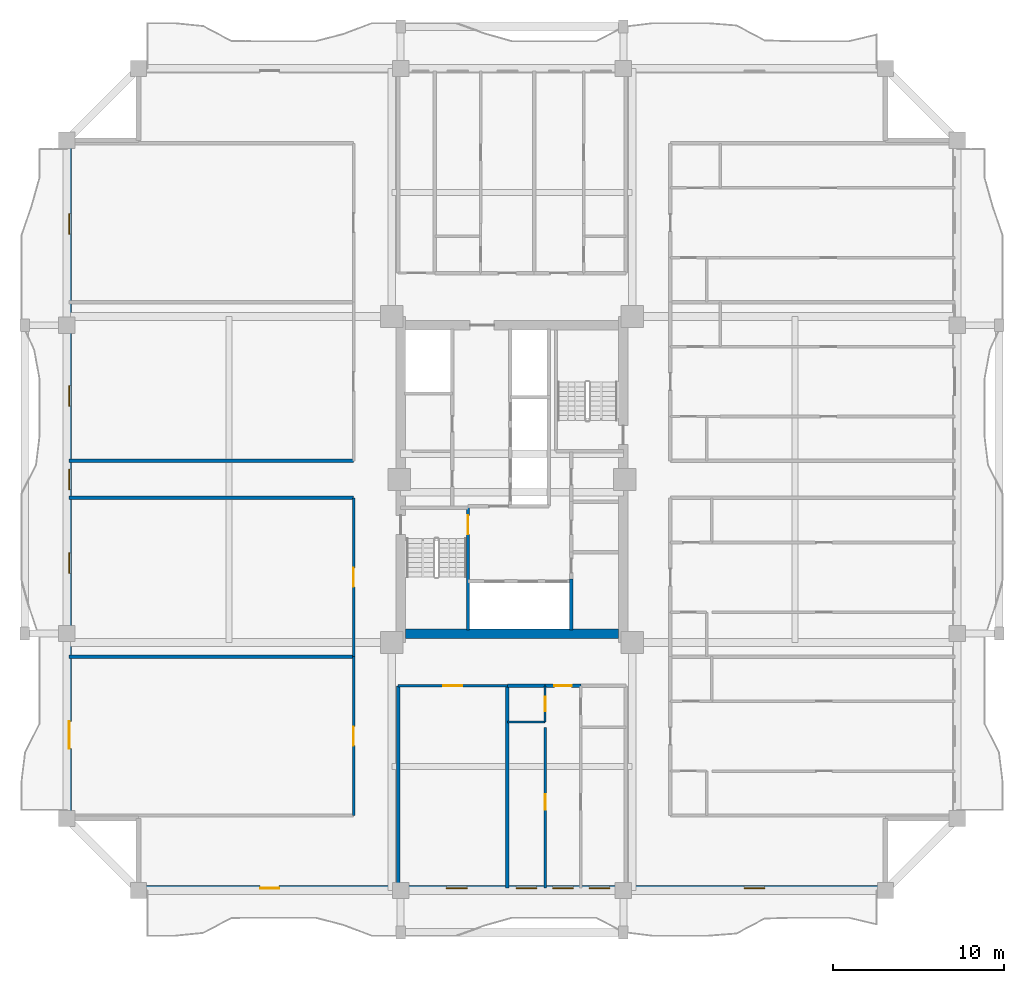
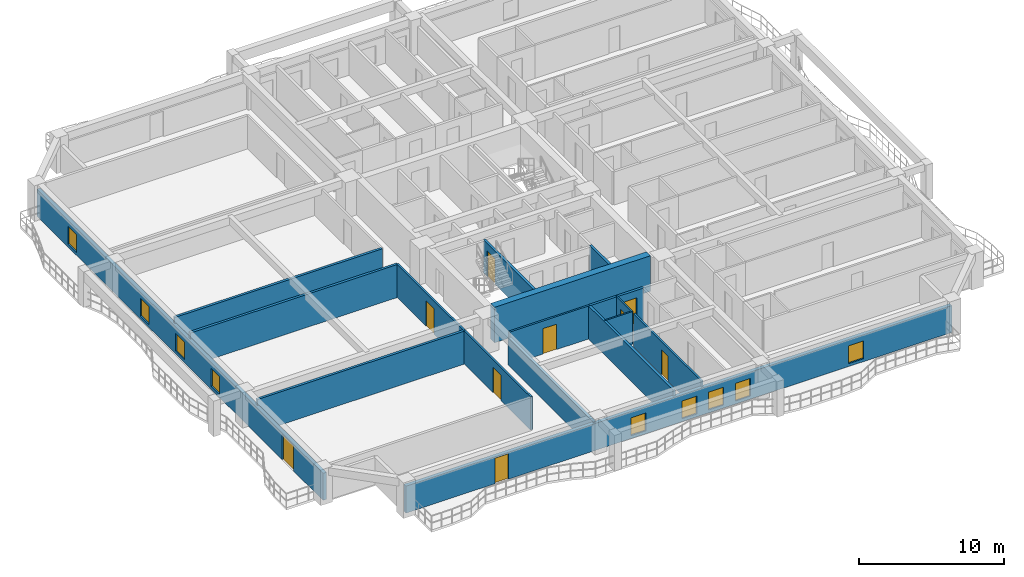
# One storey, part 2 of 12: 18 walls, 9 doors, 9 windows, 18 openings.
"""IFC4 building model written with IfcOpenShell, lengths in metres."""

import ifcopenshell
import ifcopenshell.guid

model = None  # the IFC model being written
_history = None  # IfcOwnerHistory: only IFC2X3 demands one
_inside = {}  # id of a spatial element -> (the spatial element, [elements in it])
_under = {}  # id of a project, library or spatial element -> (it, [spatial elements below it])
_declared = {}  # id of a project -> (the project, [libraries it declares])
_typed = {}  # id of a type object -> (the type object, [elements of that type])
_made_of = {}  # id of a material, layer set ... -> (it, [elements and type objects made of it])


def new_model(schema):
    """Start an empty IFC model of exactly this schema.

    Asked for "IFC4X3", IfcOpenShell would pick the latest addendum, in which some entities
    have other attributes; the version numbers below select the first issue.
    IFC2X3 requires an IfcOwnerHistory on every rooted entity: one is made here for all.
    """
    global model, _history
    if schema == "IFC4X3":
        model = ifcopenshell.file(schema_version=(4, 3, 0, 0))
    else:
        model = ifcopenshell.file(schema=schema)
    _inside.clear()
    _under.clear()
    _declared.clear()
    _typed.clear()
    _made_of.clear()
    _history = None
    if model.schema == "IFC2X3":
        org = make("IfcOrganization", Name="unknown")
        user = make(
            "IfcPersonAndOrganization",
            ThePerson=make("IfcPerson", FamilyName="unknown"),
            TheOrganization=org,
        )
        app = make(
            "IfcApplication",
            ApplicationDeveloper=org,
            Version="unknown",
            ApplicationFullName="unknown",
            ApplicationIdentifier="unknown",
        )
        _history = make(
            "IfcOwnerHistory",
            OwningUser=user,
            OwningApplication=app,
            ChangeAction="ADDED",
            CreationDate=0,
        )
    return model


def make(cls, **values):
    """One entity of the class cls with the attributes given. An attribute that is None is left unset."""
    return model.create_entity(
        cls, **{name: value for name, value in values.items() if value is not None}
    )


def rooted(cls, **values):
    """An entity with a GlobalId (a new one), such as an element, a storey or a relation."""
    return make(cls, GlobalId=ifcopenshell.guid.new(), OwnerHistory=_history, **values)


def si_unit(unit_type, name, prefix=None):
    """IfcSIUnit, for example si_unit("LENGTHUNIT", "METRE", prefix="MILLI")."""
    return make("IfcSIUnit", UnitType=unit_type, Prefix=prefix, Name=name)


def assignment(units):
    """IfcUnitAssignment: the units of a project."""
    return None if units is None else make("IfcUnitAssignment", Units=units)


def point(xyz):
    """IfcCartesianPoint."""
    return None if xyz is None else make("IfcCartesianPoint", Coordinates=xyz)


def direction(xyz):
    """IfcDirection."""
    return None if xyz is None else make("IfcDirection", DirectionRatios=xyz)


def frame(location, z_axis=None, x_axis=None):
    """IfcAxis2Placement3D, a coordinate frame: its origin and axes. An axis left out is left unset."""
    return make(
        "IfcAxis2Placement3D",
        Location=point(location),
        Axis=direction(z_axis),
        RefDirection=direction(x_axis),
    )


def frame_2d(location, x_axis=None):
    """IfcAxis2Placement2D, a coordinate frame in the plane: its origin and x axis."""
    return make(
        "IfcAxis2Placement2D", Location=point(location), RefDirection=direction(x_axis)
    )


def origin():
    """The frame at (0, 0, 0) with its axes left unset."""
    return frame((0.0, 0.0, 0.0))


def place(relative_to, where):
    """IfcLocalPlacement: puts the frame where relative to a parent placement (None: the world)."""
    return make(
        "IfcLocalPlacement", PlacementRelTo=relative_to, RelativePlacement=where
    )


def context(
    kind, dimensions, precision=None, world=None, true_north=None, identifier=None
):
    """IfcGeometricRepresentationContext, for example the 3D "Model" context."""
    return make(
        "IfcGeometricRepresentationContext",
        ContextIdentifier=identifier,
        ContextType=kind,
        CoordinateSpaceDimension=dimensions,
        Precision=precision,
        WorldCoordinateSystem=world,
        TrueNorth=true_north,
    )


def subcontext(parent, identifier, kind, view, scale=None):
    """IfcGeometricRepresentationSubContext, for example "Body" below "Model"."""
    return make(
        "IfcGeometricRepresentationSubContext",
        ContextIdentifier=identifier,
        ContextType=kind,
        ParentContext=parent,
        TargetScale=scale,
        TargetView=view,
    )


def project(units=None, contexts=None):
    """IfcProject with its units and contexts."""
    return rooted(
        "IfcProject",
        Name="project",
        RepresentationContexts=contexts,
        UnitsInContext=assignment(units),
    )


def spatial(cls, under=None, at=None, **own):
    """A site, building, storey or space (cls), placed at a placement, below another one or the project."""
    s = rooted(cls, ObjectPlacement=at, **own)
    if under is not None:
        _under.setdefault(under.id(), (under, []))[1].append(s)
    return s


def profile(cls, at=None, kind="AREA", **sizes):
    """A parametric profile (cls). Its sizes go by their IFC names, for example OverallWidth=200.0."""
    return make(cls, ProfileType=kind, Position=at, **sizes)


def rectangle(**sizes):
    """IfcRectangleProfileDef."""
    return profile("IfcRectangleProfileDef", **sizes)


def extrude(swept, where, along, depth):
    """IfcExtrudedAreaSolid: the profile swept, set in the frame where, extruded along a direction by depth."""
    return make(
        "IfcExtrudedAreaSolid",
        SweptArea=swept,
        Position=where,
        ExtrudedDirection=direction(along),
        Depth=depth,
    )


def shape(context_of_items, identifier, shape_type, items):
    """IfcShapeRepresentation: the items that make up one representation, for example the "Body"."""
    return make(
        "IfcShapeRepresentation",
        ContextOfItems=context_of_items,
        RepresentationIdentifier=identifier,
        RepresentationType=shape_type,
        Items=items,
    )


def source(mapping_origin, context_of_items, identifier, shape_type, items):
    """IfcRepresentationMap: a shape defined once, which mapped items show again and again."""
    return make(
        "IfcRepresentationMap",
        MappingOrigin=mapping_origin,
        MappedRepresentation=shape(context_of_items, identifier, shape_type, items),
    )


def transform(
    local_origin,
    x_axis=None,
    y_axis=None,
    z_axis=None,
    scale=None,
    scale2=None,
    scale3=None,
    uniform=True,
):
    """IfcCartesianTransformationOperator3D, or its non-uniform kind. x_axis, y_axis, z_axis: its Axis1, 2, 3."""
    if uniform:
        return make(
            "IfcCartesianTransformationOperator3D",
            Axis1=direction(x_axis),
            Axis2=direction(y_axis),
            LocalOrigin=point(local_origin),
            Scale=scale,
            Axis3=direction(z_axis),
        )
    return make(
        "IfcCartesianTransformationOperator3DnonUniform",
        Axis1=direction(x_axis),
        Axis2=direction(y_axis),
        LocalOrigin=point(local_origin),
        Scale=scale,
        Axis3=direction(z_axis),
        Scale2=scale2,
        Scale3=scale3,
    )


def mapped(mapping_source, mapping_target):
    """IfcMappedItem: shows the shape of a source again, moved by a transform."""
    return make(
        "IfcMappedItem", MappingSource=mapping_source, MappingTarget=mapping_target
    )


def material(Name=None, Category=None):
    """IfcMaterial."""
    return make("IfcMaterial", Name=Name, Category=Category)


def layer(
    of_material, thickness, ventilated=None, Name=None, Category=None, Priority=None
):
    """IfcMaterialLayer: one layer of a wall or slab, of a material (None: an air gap)."""
    return make(
        "IfcMaterialLayer",
        Material=of_material,
        LayerThickness=thickness,
        IsVentilated=ventilated,
        Name=Name,
        Category=Category,
        Priority=Priority,
    )


def layer_set(layers, Name=None):
    """IfcMaterialLayerSet."""
    return make("IfcMaterialLayerSet", MaterialLayers=layers, LayerSetName=Name)


def made_of(thing, what):
    """Note that an element or type object is made of a material, layer set ...; save() writes the relation."""
    if what is not None:
        _made_of.setdefault(what.id(), (what, []))[1].append(thing)
    return thing


def type_object(cls, material=None, **own):
    """A type object (cls), such as IfcWallType, which elements share."""
    return made_of(rooted(cls, **own), material)


def element(
    cls,
    number,
    at=None,
    inside=None,
    cuts=None,
    type_object=None,
    material=None,
    context=None,
    identifier="Body",
    shape_type=None,
    held_by="IfcProductDefinitionShape",
    body=None,
    shapes=None,
    **own,
):
    """One element of the class cls, such as IfcWall. Its Tag is "e" and its number.

    at: its placement. inside: the storey or other place that contains it. cuts: it is an
    opening in that element (IfcRelVoidsElement). A single representation is given by context,
    identifier, shape_type and body (its items); several are given by shapes. held_by: the class
    of the entity that holds the representations. save() writes the other relations.
    """
    e = rooted(cls, Tag="e%d" % number, ObjectPlacement=at, **own)
    if body is not None:
        shapes = [shape(context, identifier, shape_type, body)]
    if shapes is not None:
        e.Representation = make(held_by, Representations=shapes)
    if inside is not None:
        _inside.setdefault(inside.id(), (inside, []))[1].append(e)
    if cuts is not None:
        rooted(
            "IfcRelVoidsElement", RelatingBuildingElement=cuts, RelatedOpeningElement=e
        )
    if type_object is not None:
        _typed.setdefault(type_object.id(), (type_object, []))[1].append(e)
    return made_of(e, material)


def fill(opening, filler):
    """IfcRelFillsElement: the door or window that sits in an opening."""
    return rooted(
        "IfcRelFillsElement",
        RelatingOpeningElement=opening,
        RelatedBuildingElement=filler,
    )


def aggregate(whole, parts):
    """IfcRelAggregates: a whole, such as a stair, and the parts it consists of."""
    return rooted("IfcRelAggregates", RelatingObject=whole, RelatedObjects=parts)


def save(model, path):
    """Write the relations noted so far, then the file.

    IfcRelAggregates (storeys below a building ...), IfcRelContainedInSpatialStructure (elements
    in a storey), IfcRelDefinesByType, IfcRelAssociatesMaterial and IfcRelDeclares: one each for
    every whole, place, type object, material and project.
    """
    for whole, parts in _under.values():
        aggregate(whole, parts)
    for where, things in _inside.values():
        rooted(
            "IfcRelContainedInSpatialStructure",
            RelatedElements=things,
            RelatingStructure=where,
        )
    for kind, things in _typed.values():
        rooted("IfcRelDefinesByType", RelatedObjects=things, RelatingType=kind)
    for what, things in _made_of.values():
        rooted("IfcRelAssociatesMaterial", RelatedObjects=things, RelatingMaterial=what)
    for by, libraries in _declared.values():
        rooted("IfcRelDeclares", RelatingContext=by, RelatedDefinitions=libraries)
    model.write(path)


model = new_model("IFC4")

# Units and contexts
model_context = context("Model", 3, precision=1e-05, world=origin(), true_north=direction((0.0, 1.0)))
body_context = subcontext(model_context, "Body", "Model", "MODEL_VIEW")
ifc_project = project(units=[si_unit("LENGTHUNIT", "METRE"), si_unit("AREAUNIT", "SQUARE_METRE"), si_unit("VOLUMEUNIT", "CUBIC_METRE"), si_unit("PLANEANGLEUNIT", "RADIAN"), si_unit("MASSUNIT", "GRAM", prefix="KILO")], contexts=[model_context])

# Site, building, storey
site_placement = place(None, origin())
site = spatial("IfcSite", under=ifc_project, at=site_placement, CompositionType="ELEMENT")
building_placement = place(site_placement, origin())
building = spatial("IfcBuilding", under=site, at=building_placement, Name="Saelheon Loggia Tower", CompositionType="ELEMENT")
storey_placement = place(building_placement, frame((0.0, 0.0, 95.85009765625)))
storey = spatial("IfcBuildingStorey", under=building, at=storey_placement, Name="L30", CompositionType="ELEMENT", Elevation=95.85009765625)

# Wall
ifc_material_1 = material(Name="Concrete C50/60", Category="concrete")
ifc_layer_1 = layer(ifc_material_1, 0.550048828125)
ifc_layer_set_1 = layer_set([ifc_layer_1], Name="Concrete C50/60")
wall_type_1 = type_object("IfcWallType", Name="Wall_CoreShear_550", PredefinedType="SHEAR", material=ifc_layer_set_1)
wall_1_placement = place(storey_placement, frame((31.77490234375, 18.0, 0.0), z_axis=(0.0, 0.0, 1.0), x_axis=(1.0, 0.0, 0.0)))
element("IfcWall", 1, at=wall_1_placement, inside=storey, type_object=wall_type_1, Name="L30 Core Shear Wall South", PredefinedType="SHEAR", context=body_context, shape_type="SweptSolid", body=[
    extrude(rectangle(XDim=12.4501953125, YDim=0.550048828125, at=frame_2d((6.22509765625, 0.0))), origin(), (0.0, 0.0, 1.0), 3.0),
])

# Wall, openings, windows, door
ifc_material_2 = material(Name="Architectural Precast Concrete C40/50", Category="concrete")
ifc_layer_2 = layer(ifc_material_2, 0.280029296875)
ifc_layer_set_2 = layer_set([ifc_layer_2], Name="Architectural Precast Concrete C40/50")
wall_type_2 = type_object("IfcWallType", Name="Wall_Ext_Loggia_280", PredefinedType="SOLIDWALL", material=ifc_layer_set_2)
wall_2_placement = place(storey_placement, frame((16.199951171875, 3.139892578125, 0.0), z_axis=(0.0, 0.0, 1.0), x_axis=(1.0, 0.0, 0.0)))
wall_2 = element("IfcWall", 2, at=wall_2_placement, inside=storey, type_object=wall_type_2, Name="L30 South Loggia Inner Wall", PredefinedType="SOLIDWALL", context=body_context, shape_type="SweptSolid", body=[
    extrude(rectangle(XDim=43.60009765625, YDim=0.280029296875, at=frame_2d((21.800048828125, 0.0))), origin(), (0.0, 0.0, 1.0), 2.27978515625),
])
opening_1_placement = place(wall_2_placement, frame((8.2001953125, 0.0, 0.0), z_axis=(0.0, 0.0, 1.0), x_axis=(-1.0, 0.0, 0.0)))
opening_1 = element("IfcOpeningElement", 3, at=opening_1_placement, cuts=wall_2, Name="Opening TD1", PredefinedType="OPENING", context=body_context, shape_type="SweptSolid", body=[
    extrude(rectangle(XDim=1.10009765625, YDim=2.14990234375, at=frame_2d((0.550048828125, 1.074951171875))), frame((0.0, 0.152099609375, 0.0), z_axis=(0.0, -1.0, 0.0), x_axis=(1.0, 0.0, 0.0)), (0.0, 0.0, 1.0), 0.303955078125),
])
opening_2_placement = place(wall_2_placement, frame((17.974609375, 0.0, 0.25)))
opening_2 = element("IfcOpeningElement", 4, at=opening_2_placement, cuts=wall_2, Name="Opening WN-03", PredefinedType="OPENING", context=body_context, shape_type="SweptSolid", body=[
    extrude(rectangle(XDim=1.199951171875, YDim=1.5, at=frame_2d((0.60009765625, 0.75))), frame((0.0, 0.152099609375, 0.0), z_axis=(0.0, -1.0, 0.0), x_axis=(1.0, 0.0, 0.0)), (0.0, 0.0, 1.0), 0.303955078125),
])
opening_3_placement = place(wall_2_placement, frame((22.033935546875, 0.0, 0.25)))
opening_3 = element("IfcOpeningElement", 5, at=opening_3_placement, cuts=wall_2, Name="Opening WN-03", PredefinedType="OPENING", context=body_context, shape_type="SweptSolid", body=[
    extrude(rectangle(XDim=1.199951171875, YDim=1.5, at=frame_2d((0.60009765625, 0.75))), frame((0.0, 0.152099609375, 0.0), z_axis=(0.0, -1.0, 0.0), x_axis=(1.0, 0.0, 0.0)), (0.0, 0.0, 1.0), 0.303955078125),
])
opening_4_placement = place(wall_2_placement, frame((24.177978515625, 0.0, 0.25)))
opening_4 = element("IfcOpeningElement", 6, at=opening_4_placement, cuts=wall_2, Name="Opening WN-03", PredefinedType="OPENING", context=body_context, shape_type="SweptSolid", body=[
    extrude(rectangle(XDim=1.199951171875, YDim=1.5, at=frame_2d((0.60009765625, 0.75))), frame((0.0, 0.152099609375, 0.0), z_axis=(0.0, -1.0, 0.0), x_axis=(1.0, 0.0, 0.0)), (0.0, 0.0, 1.0), 0.303955078125),
])
opening_5_placement = place(wall_2_placement, frame((26.303466796875, 0.0, 0.25)))
opening_5 = element("IfcOpeningElement", 7, at=opening_5_placement, cuts=wall_2, Name="Opening WN-03", PredefinedType="OPENING", context=body_context, shape_type="SweptSolid", body=[
    extrude(rectangle(XDim=1.199951171875, YDim=1.5, at=frame_2d((0.60009765625, 0.75))), frame((0.0, 0.152099609375, 0.0), z_axis=(0.0, -1.0, 0.0), x_axis=(1.0, 0.0, 0.0)), (0.0, 0.0, 1.0), 0.303955078125),
])
opening_6_placement = place(wall_2_placement, frame((35.35009765625, 0.0, 0.25)))
opening_6 = element("IfcOpeningElement", 8, at=opening_6_placement, cuts=wall_2, Name="Opening WN-03", PredefinedType="OPENING", context=body_context, shape_type="SweptSolid", body=[
    extrude(rectangle(XDim=1.199951171875, YDim=1.5, at=frame_2d((0.60009765625, 0.75))), frame((0.0, 0.152099609375, 0.0), z_axis=(0.0, -1.0, 0.0), x_axis=(1.0, 0.0, 0.0)), (0.0, 0.0, 1.0), 0.303955078125),
])
ifc_material_3 = material(Name="Thermal-Break Aluminium and Triple Low-E Glass", Category="aluminium")
window_type = type_object("IfcWindowType", Name="Win_Bedroom_1200x1500", PartitioningType="SINGLE_PANEL", PredefinedType="WINDOW", material=ifc_material_3)
shared_shape_1 = source(origin(), body_context, "Body", "SweptSolid", [
    extrude(rectangle(XDim=1.199951171875, YDim=1.5, at=frame_2d((0.60009765625, 0.75))), frame((0.0, 0.030029296875, 0.0), z_axis=(0.0, -1.0, 0.0), x_axis=(1.0, 0.0, 0.0)), (0.0, 0.0, 1.0), 0.06005859375),
])
window_1_placement = place(opening_2_placement, origin())
window_1 = element("IfcWindow", 9, at=window_1_placement, inside=storey, type_object=window_type, Name="L30 S Dwelling Window 2", OverallHeight=1.5, OverallWidth=1.199951171875, PartitioningType="SINGLE_PANEL", PredefinedType="WINDOW", context=body_context, shape_type="MappedRepresentation", body=[
    mapped(shared_shape_1, transform((0.0, 0.0, 0.0), scale=1.0)),
])
fill(opening_2, window_1)
window_2_placement = place(opening_3_placement, origin())
window_2 = element("IfcWindow", 10, at=window_2_placement, inside=storey, type_object=window_type, Name="L30 S Dwelling Window 3", OverallHeight=1.5, OverallWidth=1.199951171875, PartitioningType="SINGLE_PANEL", PredefinedType="WINDOW", context=body_context, shape_type="MappedRepresentation", body=[
    mapped(shared_shape_1, transform((0.0, 0.0, 0.0), scale=1.0)),
])
fill(opening_3, window_2)
window_3_placement = place(opening_4_placement, origin())
window_3 = element("IfcWindow", 11, at=window_3_placement, inside=storey, type_object=window_type, Name="L30 S Dwelling Window 4", OverallHeight=1.5, OverallWidth=1.199951171875, PartitioningType="SINGLE_PANEL", PredefinedType="WINDOW", context=body_context, shape_type="MappedRepresentation", body=[
    mapped(shared_shape_1, transform((0.0, 0.0, 0.0), scale=1.0)),
])
fill(opening_4, window_3)
window_4_placement = place(opening_5_placement, origin())
window_4 = element("IfcWindow", 12, at=window_4_placement, inside=storey, type_object=window_type, Name="L30 S Dwelling Window 5", OverallHeight=1.5, OverallWidth=1.199951171875, PartitioningType="SINGLE_PANEL", PredefinedType="WINDOW", context=body_context, shape_type="MappedRepresentation", body=[
    mapped(shared_shape_1, transform((0.0, 0.0, 0.0), scale=1.0)),
])
fill(opening_5, window_4)
window_5_placement = place(opening_6_placement, origin())
window_5 = element("IfcWindow", 13, at=window_5_placement, inside=storey, type_object=window_type, Name="L30 S Dwelling Window 6", OverallHeight=1.5, OverallWidth=1.199951171875, PartitioningType="SINGLE_PANEL", PredefinedType="WINDOW", context=body_context, shape_type="MappedRepresentation", body=[
    mapped(shared_shape_1, transform((0.0, 0.0, 0.0), scale=1.0)),
])
fill(opening_6, window_5)
ifc_material_4 = material(Name="Thermal-Break Aluminium Glazed Door", Category="aluminium")
door_type_1 = type_object("IfcDoorType", Name="Door_Terrace_TD1", OperationType="NOTDEFINED", PredefinedType="DOOR", material=ifc_material_4)
shared_shape_2 = source(origin(), body_context, "Body", "SweptSolid", [
    extrude(rectangle(XDim=1.10009765625, YDim=2.14990234375, at=frame_2d((0.550048828125, 1.074951171875))), frame((0.0, 0.02490234375, 0.0), z_axis=(0.0, -1.0, 0.0), x_axis=(1.0, 0.0, 0.0)), (0.0, 0.0, 1.0), 0.050048828125),
])
door_1_placement = place(opening_1_placement, origin())
door_1 = element("IfcDoor", 14, at=door_1_placement, inside=storey, type_object=door_type_1, Name="L30 S Loggia Access Door", OperationType="SINGLE_SWING_LEFT", OverallHeight=2.14990234375, OverallWidth=1.10009765625, PredefinedType="DOOR", context=body_context, shape_type="MappedRepresentation", body=[
    mapped(shared_shape_2, transform((0.0, 0.0, 0.0), scale=1.0)),
])
fill(opening_1, door_1)

wall_3_placement = place(storey_placement, frame((12.139892578125, 7.199951171875, 0.0), z_axis=(0.0, 0.0, 1.0), x_axis=(0.0, 1.0, 0.0)))
wall_3 = element("IfcWall", 15, at=wall_3_placement, inside=storey, type_object=wall_type_2, Name="L30 West Loggia Inner Wall", PredefinedType="SOLIDWALL", context=body_context, shape_type="SweptSolid", body=[
    extrude(rectangle(XDim=39.60009765625, YDim=0.280029296875, at=frame_2d((19.800048828125, 0.0))), origin(), (0.0, 0.0, 1.0), 2.27978515625),
])
opening_7_placement = place(wall_3_placement, frame((4.08251953125, 0.0, 0.0)))
opening_7 = element("IfcOpeningElement", 16, at=opening_7_placement, cuts=wall_3, Name="Opening DLG-1", PredefinedType="OPENING", context=body_context, shape_type="SweptSolid", body=[
    extrude(rectangle(XDim=1.60009765625, YDim=2.14990234375, at=frame_2d((0.800048828125, 1.074951171875))), frame((0.0, 0.152099609375, 0.0), z_axis=(0.0, -1.0, 0.0), x_axis=(1.0, 0.0, 0.0)), (0.0, 0.0, 1.0), 0.303955078125),
])
opening_8_placement = place(wall_3_placement, frame((14.3173828125, 0.0, 0.25)))
opening_8 = element("IfcOpeningElement", 17, at=opening_8_placement, cuts=wall_3, Name="Opening WN-03", PredefinedType="OPENING", context=body_context, shape_type="SweptSolid", body=[
    extrude(rectangle(XDim=1.199951171875, YDim=1.5, at=frame_2d((0.60009765625, 0.75))), frame((0.0, 0.152099609375, 0.0), z_axis=(0.0, -1.0, 0.0), x_axis=(1.0, 0.0, 0.0)), (0.0, 0.0, 1.0), 0.303955078125),
])
opening_9_placement = place(wall_3_placement, frame((19.199951171875, 0.0, 0.25)))
opening_9 = element("IfcOpeningElement", 18, at=opening_9_placement, cuts=wall_3, Name="Opening WN-03", PredefinedType="OPENING", context=body_context, shape_type="SweptSolid", body=[
    extrude(rectangle(XDim=1.199951171875, YDim=1.5, at=frame_2d((0.60009765625, 0.75))), frame((0.0, 0.152099609375, 0.0), z_axis=(0.0, -1.0, 0.0), x_axis=(1.0, 0.0, 0.0)), (0.0, 0.0, 1.0), 0.303955078125),
])
opening_10_placement = place(wall_3_placement, frame((24.08251953125, 0.0, 0.25)))
opening_10 = element("IfcOpeningElement", 19, at=opening_10_placement, cuts=wall_3, Name="Opening WN-03", PredefinedType="OPENING", context=body_context, shape_type="SweptSolid", body=[
    extrude(rectangle(XDim=1.199951171875, YDim=1.5, at=frame_2d((0.60009765625, 0.75))), frame((0.0, 0.152099609375, 0.0), z_axis=(0.0, -1.0, 0.0), x_axis=(1.0, 0.0, 0.0)), (0.0, 0.0, 1.0), 0.303955078125),
])
opening_11_placement = place(wall_3_placement, frame((34.117431640625, 0.0, 0.25)))
opening_11 = element("IfcOpeningElement", 20, at=opening_11_placement, cuts=wall_3, Name="Opening WN-03", PredefinedType="OPENING", context=body_context, shape_type="SweptSolid", body=[
    extrude(rectangle(XDim=1.199951171875, YDim=1.5, at=frame_2d((0.60009765625, 0.75))), frame((0.0, 0.152099609375, 0.0), z_axis=(0.0, -1.0, 0.0), x_axis=(1.0, 0.0, 0.0)), (0.0, 0.0, 1.0), 0.303955078125),
])
window_6_placement = place(opening_8_placement, origin())
window_6 = element("IfcWindow", 21, at=window_6_placement, inside=storey, type_object=window_type, Name="L30 W Dwelling Window 2", OverallHeight=1.5, OverallWidth=1.199951171875, PartitioningType="SINGLE_PANEL", PredefinedType="WINDOW", context=body_context, shape_type="MappedRepresentation", body=[
    mapped(shared_shape_1, transform((0.0, 0.0, 0.0), scale=1.0)),
])
fill(opening_8, window_6)
window_7_placement = place(opening_9_placement, origin())
window_7 = element("IfcWindow", 22, at=window_7_placement, inside=storey, type_object=window_type, Name="L30 W Dwelling Window 3", OverallHeight=1.5, OverallWidth=1.199951171875, PartitioningType="SINGLE_PANEL", PredefinedType="WINDOW", context=body_context, shape_type="MappedRepresentation", body=[
    mapped(shared_shape_1, transform((0.0, 0.0, 0.0), scale=1.0)),
])
fill(opening_9, window_7)
window_8_placement = place(opening_10_placement, origin())
window_8 = element("IfcWindow", 23, at=window_8_placement, inside=storey, type_object=window_type, Name="L30 W Dwelling Window 4", OverallHeight=1.5, OverallWidth=1.199951171875, PartitioningType="SINGLE_PANEL", PredefinedType="WINDOW", context=body_context, shape_type="MappedRepresentation", body=[
    mapped(shared_shape_1, transform((0.0, 0.0, 0.0), scale=1.0)),
])
fill(opening_10, window_8)
window_9_placement = place(opening_11_placement, origin())
window_9 = element("IfcWindow", 24, at=window_9_placement, inside=storey, type_object=window_type, Name="L30 W Dwelling Window 5", OverallHeight=1.5, OverallWidth=1.199951171875, PartitioningType="SINGLE_PANEL", PredefinedType="WINDOW", context=body_context, shape_type="MappedRepresentation", body=[
    mapped(shared_shape_1, transform((0.0, 0.0, 0.0), scale=1.0)),
])
fill(opening_11, window_9)
ifc_material_5 = material(Name="Thermal-Break Aluminium Sliding Glazed Door", Category="aluminium")
door_type_2 = type_object("IfcDoorType", Name="Door_LoggiaSlide_1600", OperationType="SLIDING_TO_LEFT", PredefinedType="DOOR", material=ifc_material_5)
shared_shape_3 = source(origin(), body_context, "Body", "SweptSolid", [
    extrude(rectangle(XDim=1.60009765625, YDim=2.14990234375, at=frame_2d((0.800048828125, 1.074951171875))), frame((0.0, 0.02490234375, 0.0), z_axis=(0.0, -1.0, 0.0), x_axis=(1.0, 0.0, 0.0)), (0.0, 0.0, 1.0), 0.050048828125),
])
door_2_placement = place(opening_7_placement, origin())
door_2 = element("IfcDoor", 25, at=door_2_placement, inside=storey, type_object=door_type_2, Name="L30 W Loggia Access Door", OperationType="SLIDING_TO_LEFT", OverallHeight=2.14990234375, OverallWidth=1.60009765625, PredefinedType="DOOR", context=body_context, shape_type="MappedRepresentation", body=[
    mapped(shared_shape_3, transform((0.0, 0.0, 0.0), scale=1.0)),
])
fill(opening_7, door_2)

# Wall, opening, door
ifc_material_6 = material(Name="Lightweight Autoclaved Aerated Concrete Block and Acoustic Gypsum", Category="concrete")
ifc_layer_3 = layer(ifc_material_6, 0.14990234375)
ifc_layer_set_3 = layer_set([ifc_layer_3], Name="Lightweight Autoclaved Aerated Concrete Block and Acoustic Gypsum")
wall_type_3 = type_object("IfcWallType", Name="Wall_Part_150", PredefinedType="PARTITIONING", material=ifc_layer_set_3)
wall_4_placement = place(storey_placement, frame((31.35009765625, 14.949951171875, 0.0), z_axis=(0.0, 0.0, 1.0), x_axis=(1.0, 0.0, 0.0)))
wall_4 = element("IfcWall", 26, at=wall_4_placement, inside=storey, type_object=wall_type_3, Name="L30 S Partition V03", PredefinedType="PARTITIONING", context=body_context, shape_type="SweptSolid", body=[
    extrude(rectangle(XDim=6.3837890625, YDim=0.14990234375, at=frame_2d((3.19189453125, 0.0))), origin(), (0.0, 0.0, 1.0), 2.789794921875),
])
opening_12_placement = place(wall_4_placement, frame((2.64208984375, 0.0, 0.0)))
opening_12 = element("IfcOpeningElement", 27, at=opening_12_placement, cuts=wall_4, Name="Opening D-FD2", PredefinedType="OPENING", context=body_context, shape_type="SweptSolid", body=[
    extrude(rectangle(XDim=1.10009765625, YDim=2.14990234375, at=frame_2d((0.550048828125, 1.074951171875))), frame((0.0, 0.0869140625, 0.0), z_axis=(0.0, -1.0, 0.0), x_axis=(1.0, 0.0, 0.0)), (0.0, 0.0, 1.0), 0.173828125),
])
ifc_material_7 = material(Name="Galvanised Steel Fire Door", Category="steel")
door_type_3 = type_object("IfcDoorType", Name="Door_Fire_FD60_1100", OperationType="NOTDEFINED", PredefinedType="DOOR", material=ifc_material_7)
door_3_placement = place(opening_12_placement, origin())
door_3 = element("IfcDoor", 28, at=door_3_placement, inside=storey, type_object=door_type_3, Name="L30 Community Reading Library Door A", OperationType="SINGLE_SWING_LEFT", OverallHeight=2.14990234375, OverallWidth=1.10009765625, PredefinedType="DOOR", context=body_context, shape_type="MappedRepresentation", body=[
    mapped(shared_shape_2, transform((0.0, 0.0, 0.0), scale=1.0)),
])
fill(opening_12, door_3)

wall_5_placement = place(storey_placement, frame((39.93408203125, 12.530029296875, 0.0), z_axis=(0.0, 0.0, 1.0), x_axis=(0.0, -1.0, 0.0)))
wall_5 = element("IfcWall", 29, at=wall_5_placement, inside=storey, type_object=wall_type_3, Name="L30 S Partition U11", PredefinedType="PARTITIONING", context=body_context, shape_type="SweptSolid", body=[
    extrude(rectangle(XDim=9.380126953125, YDim=0.14990234375, at=frame_2d((4.68994140625, 0.0))), origin(), (0.0, 0.0, 1.0), 2.789794921875),
])
opening_13_placement = place(wall_5_placement, frame((3.90673828125, 0.0, 0.0)))
opening_13 = element("IfcOpeningElement", 30, at=opening_13_placement, cuts=wall_5, Name="Opening D-IN2", PredefinedType="OPENING", context=body_context, shape_type="SweptSolid", body=[
    extrude(rectangle(XDim=0.89990234375, YDim=2.10009765625, at=frame_2d((0.449951171875, 1.050048828125))), frame((0.0, 0.0869140625, 0.0), z_axis=(0.0, -1.0, 0.0), x_axis=(1.0, 0.0, 0.0)), (0.0, 0.0, 1.0), 0.173828125),
])
ifc_material_8 = material(Name="Engineered Oak Flush Door", Category="timber")
door_type_4 = type_object("IfcDoorType", Name="Door_Int_900", OperationType="NOTDEFINED", PredefinedType="DOOR", material=ifc_material_8)
shared_shape_4 = source(origin(), body_context, "Body", "SweptSolid", [
    extrude(rectangle(XDim=0.89990234375, YDim=2.10009765625, at=frame_2d((0.449951171875, 1.050048828125))), frame((0.0, 0.02490234375, 0.0), z_axis=(0.0, -1.0, 0.0), x_axis=(1.0, 0.0, 0.0)), (0.0, 0.0, 1.0), 0.050048828125),
])
door_4_placement = place(opening_13_placement, origin())
door_4 = element("IfcDoor", 31, at=door_4_placement, inside=storey, type_object=door_type_4, Name="Unit U01 Kitchen Door", OperationType="SINGLE_SWING_RIGHT", OverallHeight=2.10009765625, OverallWidth=0.89990234375, PredefinedType="DOOR", context=body_context, shape_type="MappedRepresentation", body=[
    mapped(shared_shape_4, transform((0.0, 0.0, 0.0), scale=1.0)),
])
fill(opening_13, door_4)

wall_6_placement = place(storey_placement, frame((28.75, 7.3798828125, 0.0), z_axis=(0.0, 0.0, 1.0), x_axis=(0.0, 1.0, 0.0)))
wall_6 = element("IfcWall", 32, at=wall_6_placement, inside=storey, type_object=wall_type_3, Name="L30 WS Partition V03", PredefinedType="PARTITIONING", context=body_context, shape_type="SweptSolid", body=[
    extrude(rectangle(XDim=9.27001953125, YDim=0.14990234375, at=frame_2d((4.635009765625, 0.0))), origin(), (0.0, 0.0, 1.0), 2.789794921875),
])
opening_14_placement = place(wall_6_placement, frame((4.0849609375, 0.0, 0.0)))
opening_14 = element("IfcOpeningElement", 33, at=opening_14_placement, cuts=wall_6, Name="Opening D-FD2", PredefinedType="OPENING", context=body_context, shape_type="SweptSolid", body=[
    extrude(rectangle(XDim=1.10009765625, YDim=2.14990234375, at=frame_2d((0.550048828125, 1.074951171875))), frame((0.0, 0.0869140625, 0.0), z_axis=(0.0, -1.0, 0.0), x_axis=(1.0, 0.0, 0.0)), (0.0, 0.0, 1.0), 0.173828125),
])
door_5_placement = place(opening_14_placement, origin())
door_5 = element("IfcDoor", 34, at=door_5_placement, inside=storey, type_object=door_type_3, Name="L30 Resident Seminar and Study Hall Door A", OperationType="SINGLE_SWING_RIGHT", OverallHeight=2.14990234375, OverallWidth=1.10009765625, PredefinedType="DOOR", context=body_context, shape_type="MappedRepresentation", body=[
    mapped(shared_shape_2, transform((0.0, 0.0, 0.0), scale=1.0)),
])
fill(opening_14, door_5)

wall_7_placement = place(storey_placement, frame((28.75, 16.64990234375, 0.0), z_axis=(0.0, 0.0, 1.0), x_axis=(0.0, 1.0, 0.0)))
wall_7 = element("IfcWall", 35, at=wall_7_placement, inside=storey, type_object=wall_type_3, Name="L30 WS Partition V05", PredefinedType="PARTITIONING", context=body_context, shape_type="SweptSolid", body=[
    extrude(rectangle(XDim=9.27001953125, YDim=0.14990234375, at=frame_2d((4.635009765625, 0.0))), origin(), (0.0, 0.0, 1.0), 2.789794921875),
])
opening_15_placement = place(wall_7_placement, frame((4.0849609375, 0.0, 0.0)))
opening_15 = element("IfcOpeningElement", 36, at=opening_15_placement, cuts=wall_7, Name="Opening D-FD2", PredefinedType="OPENING", context=body_context, shape_type="SweptSolid", body=[
    extrude(rectangle(XDim=1.10009765625, YDim=2.14990234375, at=frame_2d((0.550048828125, 1.074951171875))), frame((0.0, 0.0869140625, 0.0), z_axis=(0.0, -1.0, 0.0), x_axis=(1.0, 0.0, 0.0)), (0.0, 0.0, 1.0), 0.173828125),
])
door_6_placement = place(opening_15_placement, origin())
door_6 = element("IfcDoor", 37, at=door_6_placement, inside=storey, type_object=door_type_3, Name="L30 Resident Seminar and Study Hall Door A", OperationType="SINGLE_SWING_LEFT", OverallHeight=2.14990234375, OverallWidth=1.10009765625, PredefinedType="DOOR", context=body_context, shape_type="MappedRepresentation", body=[
    mapped(shared_shape_2, transform((0.0, 0.0, 0.0), scale=1.0)),
])
fill(opening_15, door_6)

# Walls
ifc_material_9 = material(Name="Double Acoustic Stud and Fireboard Partition", Category="gypsum")
ifc_layer_4 = layer(ifc_material_9, 0.199951171875)
ifc_layer_set_4 = layer_set([ifc_layer_4], Name="Double Acoustic Stud and Fireboard Partition")
wall_type_4 = type_object("IfcWallType", Name="Wall_Party_200", PredefinedType="PARTITIONING", material=ifc_layer_set_4)
wall_8_placement = place(storey_placement, frame((31.35009765625, 14.949951171875, 0.0), z_axis=(0.0, 0.0, 1.0), x_axis=(0.0, -1.0, 0.0)))
element("IfcWall", 38, at=wall_8_placement, inside=storey, type_object=wall_type_4, Name="L30 S Partition U01", PredefinedType="PARTITIONING", context=body_context, shape_type="SweptSolid", body=[
    extrude(rectangle(XDim=11.800048828125, YDim=0.199951171875, at=frame_2d((5.89990234375, 0.0))), origin(), (0.0, 0.0, 1.0), 2.33984375),
])
wall_9_placement = place(storey_placement, frame((37.73388671875, 14.949951171875, 0.0), z_axis=(0.0, 0.0, 1.0), x_axis=(0.0, -1.0, 0.0)))
element("IfcWall", 39, at=wall_9_placement, inside=storey, type_object=wall_type_4, Name="L30 S Partition U04", PredefinedType="PARTITIONING", context=body_context, shape_type="SweptSolid", body=[
    extrude(rectangle(XDim=11.800048828125, YDim=0.199951171875, at=frame_2d((5.89990234375, 0.0))), origin(), (0.0, 0.0, 1.0), 2.789794921875),
])
wall_10_placement = place(storey_placement, frame((37.73388671875, 14.949951171875, 0.0), z_axis=(0.0, 0.0, 1.0), x_axis=(1.0, 0.0, 0.0)))
element("IfcWall", 40, at=wall_10_placement, inside=storey, type_object=wall_type_4, Name="L30 S Partition V05", PredefinedType="PARTITIONING", context=body_context, shape_type="SweptSolid", body=[
    extrude(rectangle(XDim=2.2001953125, YDim=0.199951171875, at=frame_2d((1.10009765625, 0.0))), origin(), (0.0, 0.0, 1.0), 2.789794921875),
])

# Wall, opening, door
wall_11_placement = place(storey_placement, frame((39.93408203125, 14.949951171875, 0.0), z_axis=(0.0, 0.0, 1.0), x_axis=(1.0, 0.0, 0.0)))
wall_11 = element("IfcWall", 41, at=wall_11_placement, inside=storey, type_object=wall_type_4, Name="L30 S Partition V06", PredefinedType="PARTITIONING", context=body_context, shape_type="SweptSolid", body=[
    extrude(rectangle(XDim=2.087890625, YDim=0.199951171875, at=frame_2d((1.0439453125, 0.0))), origin(), (0.0, 0.0, 1.0), 2.789794921875),
])
opening_16_placement = place(wall_11_placement, frame((0.5439453125, 0.0, 0.0)))
opening_16 = element("IfcOpeningElement", 42, at=opening_16_placement, cuts=wall_11, Name="Opening D-FD1", PredefinedType="OPENING", context=body_context, shape_type="SweptSolid", body=[
    extrude(rectangle(XDim=1.0, YDim=2.14990234375, at=frame_2d((0.5, 1.074951171875))), frame((0.0, 0.112060546875, 0.0), z_axis=(0.0, -1.0, 0.0), x_axis=(1.0, 0.0, 0.0)), (0.0, 0.0, 1.0), 0.223876953125),
])
ifc_material_10 = material(Name="Fire-Rated Engineered Timber Entrance Door", Category="wood")
door_type_5 = type_object("IfcDoorType", Name="Door_Flat_FD30S", OperationType="NOTDEFINED", PredefinedType="DOOR", material=ifc_material_10)
shared_shape_5 = source(origin(), body_context, "Body", "SweptSolid", [
    extrude(rectangle(XDim=1.0, YDim=2.14990234375, at=frame_2d((0.5, 1.074951171875))), frame((0.0, 0.02490234375, 0.0), z_axis=(0.0, -1.0, 0.0), x_axis=(1.0, 0.0, 0.0)), (0.0, 0.0, 1.0), 0.050048828125),
])
door_7_placement = place(opening_16_placement, origin())
door_7 = element("IfcDoor", 43, at=door_7_placement, inside=storey, type_object=door_type_5, Name="Unit U01 Entrance Door", OperationType="SINGLE_SWING_RIGHT", OverallHeight=2.14990234375, OverallWidth=1.0, PredefinedType="DOOR", context=body_context, shape_type="MappedRepresentation", body=[
    mapped(shared_shape_5, transform((0.0, 0.0, 0.0), scale=1.0)),
])
fill(opening_16, door_7)

# Walls
for number, where, z_axis, x_axis, name in (
    (44, (28.75, 25.919921875, 0.0), (0.0, 0.0, 1.0), (-1.0, 0.0, 0.0), "L30 WS Partition U02"),
    (45, (28.75, 16.64990234375, 0.0), (0.0, 0.0, 1.0), (-1.0, 0.0, 0.0), "L30 WS Partition U04"),
    (46, (28.75, 28.080078125, 0.0), (0.0, 0.0, 1.0), (-1.0, 0.0, 0.0), "L30 WN Partition U01"),
):
    element("IfcWall", number, at=place(storey_placement, frame(where, z_axis=z_axis, x_axis=x_axis)), inside=storey, type_object=wall_type_4, Name=name, PredefinedType="PARTITIONING", context=body_context, shape_type="SweptSolid", body=[
        extrude(rectangle(XDim=16.60009765625, YDim=0.199951171875, at=frame_2d((8.300048828125, 0.0))), origin(), (0.0, 0.0, 1.0), 2.789794921875),
    ])
ifc_material_11 = material(Name="Concrete C40/50", Category="concrete")
ifc_layer_5 = layer(ifc_material_11, 0.199951171875)
ifc_layer_set_5 = layer_set([ifc_layer_5], Name="Concrete C40/50")
wall_type_5 = type_object("IfcWallType", Name="Wall_Shaft_200", PredefinedType="PARTITIONING", material=ifc_layer_set_5)
wall_12_placement = place(storey_placement, frame((41.449951171875, 18.219970703125, 0.0), z_axis=(0.0, 0.0, 1.0), x_axis=(0.0, 1.0, 0.0)))
element("IfcWall", 47, at=wall_12_placement, inside=storey, type_object=wall_type_5, Name="CW-INT-L30-BOH-W0", PredefinedType="PARTITIONING", context=body_context, shape_type="SweptSolid", body=[
    extrude(rectangle(XDim=2.9599609375, YDim=0.199951171875, at=frame_2d((1.47998046875, 0.0))), origin(), (0.0, 0.0, 1.0), 2.789794921875),
])

# Wall, opening, door
ifc_material_12 = material(Name="Concrete C45/55", Category="concrete")
ifc_layer_6 = layer(ifc_material_12, 0.199951171875)
ifc_layer_set_6 = layer_set([ifc_layer_6], Name="Concrete C45/55")
wall_type_6 = type_object("IfcWallType", Name="Wall_StairShaft_RC200", PredefinedType="SOLIDWALL", material=ifc_layer_set_6)
wall_13_placement = place(storey_placement, frame((35.429931640625, 18.219970703125, 0.0), z_axis=(0.0, 0.0, 1.0), x_axis=(0.0, 1.0, 0.0)))
wall_13 = element("IfcWall", 48, at=wall_13_placement, inside=storey, type_object=wall_type_6, Name="L30 Stair ST1 Shaft Wall", PredefinedType="SOLIDWALL", context=body_context, shape_type="SweptSolid", body=[
    extrude(rectangle(XDim=7.219970703125, YDim=0.199951171875, at=frame_2d((3.60986328125, 0.0))), origin(), (0.0, 0.0, 1.0), 2.789794921875),
])
opening_17_placement = place(wall_13_placement, frame((6.68017578125, 0.0, 0.0), z_axis=(0.0, 0.0, 1.0), x_axis=(-1.0, 0.0, 0.0)))
opening_17 = element("IfcOpeningElement", 49, at=opening_17_placement, cuts=wall_13, Name="Opening D-FD2", PredefinedType="OPENING", context=body_context, shape_type="SweptSolid", body=[
    extrude(rectangle(XDim=1.10009765625, YDim=2.14990234375, at=frame_2d((0.550048828125, 1.074951171875))), frame((0.0, 0.112060546875, 0.0), z_axis=(0.0, -1.0, 0.0), x_axis=(1.0, 0.0, 0.0)), (0.0, 0.0, 1.0), 0.223876953125),
])
door_8_placement = place(opening_17_placement, origin())
door_8 = element("IfcDoor", 50, at=door_8_placement, inside=storey, type_object=door_type_3, Name="L30 Stair ST1 Lobby Door", OperationType="SINGLE_SWING_RIGHT", OverallHeight=2.14990234375, OverallWidth=1.10009765625, PredefinedType="DOOR", context=body_context, shape_type="MappedRepresentation", body=[
    mapped(shared_shape_2, transform((0.0, 0.0, 0.0), scale=1.0)),
])
fill(opening_17, door_8)

# Wall
ifc_material_13 = material(Name="Moisture-Resistant Cement Board Partition", Category="gypsum")
ifc_layer_7 = layer(ifc_material_13, 0.1201171875)
ifc_layer_set_7 = layer_set([ifc_layer_7], Name="Moisture-Resistant Cement Board Partition")
wall_type_7 = type_object("IfcWallType", Name="Wall_WetPart_120", PredefinedType="PARTITIONING", material=ifc_layer_set_7)
wall_14_placement = place(storey_placement, frame((37.73388671875, 12.830078125, 0.0), z_axis=(0.0, 0.0, 1.0), x_axis=(1.0, 0.0, 0.0)))
element("IfcWall", 51, at=wall_14_placement, inside=storey, type_object=wall_type_7, Name="L30 S Partition V08", PredefinedType="PARTITIONING", context=body_context, shape_type="SweptSolid", body=[
    extrude(rectangle(XDim=2.2001953125, YDim=0.1201171875, at=frame_2d((1.10009765625, 0.0))), origin(), (0.0, 0.0, 1.0), 2.789794921875),
])

# Wall, opening, door
wall_15_placement = place(storey_placement, frame((39.93408203125, 14.949951171875, 0.0), z_axis=(0.0, 0.0, 1.0), x_axis=(0.0, -1.0, 0.0)))
wall_15 = element("IfcWall", 52, at=wall_15_placement, inside=storey, type_object=wall_type_7, Name="L30 S Partition U10", PredefinedType="PARTITIONING", context=body_context, shape_type="SweptSolid", body=[
    extrude(rectangle(XDim=2.119873046875, YDim=0.1201171875, at=frame_2d((1.06005859375, 0.0))), origin(), (0.0, 0.0, 1.0), 2.789794921875),
])
opening_18_placement = place(wall_15_placement, frame((0.635009765625, 0.0, 0.0)))
opening_18 = element("IfcOpeningElement", 53, at=opening_18_placement, cuts=wall_15, Name="Opening D-BT1", PredefinedType="OPENING", context=body_context, shape_type="SweptSolid", body=[
    extrude(rectangle(XDim=0.85009765625, YDim=2.050048828125, at=frame_2d((0.425048828125, 1.02490234375))), frame((0.0, 0.072021484375, 0.0), z_axis=(0.0, -1.0, 0.0), x_axis=(1.0, 0.0, 0.0)), (0.0, 0.0, 1.0), 0.14404296875),
])
ifc_material_14 = material(Name="Moisture-Resistant Laminate Timber Door", Category="wood")
door_type_6 = type_object("IfcDoorType", Name="Door_Bath_850", OperationType="NOTDEFINED", PredefinedType="DOOR", material=ifc_material_14)
shared_shape_6 = source(origin(), body_context, "Body", "SweptSolid", [
    extrude(rectangle(XDim=0.85009765625, YDim=2.050048828125, at=frame_2d((0.425048828125, 1.02490234375))), frame((0.0, 0.02490234375, 0.0), z_axis=(0.0, -1.0, 0.0), x_axis=(1.0, 0.0, 0.0)), (0.0, 0.0, 1.0), 0.050048828125),
])
door_9_placement = place(opening_18_placement, origin())
door_9 = element("IfcDoor", 54, at=door_9_placement, inside=storey, type_object=door_type_6, Name="Unit U01 Bathroom Door", OperationType="SINGLE_SWING_LEFT", OverallHeight=2.050048828125, OverallWidth=0.85009765625, PredefinedType="DOOR", context=body_context, shape_type="MappedRepresentation", body=[
    mapped(shared_shape_6, transform((0.0, 0.0, 0.0), scale=1.0)),
])
fill(opening_18, door_9)

save(model, "model.ifc")
